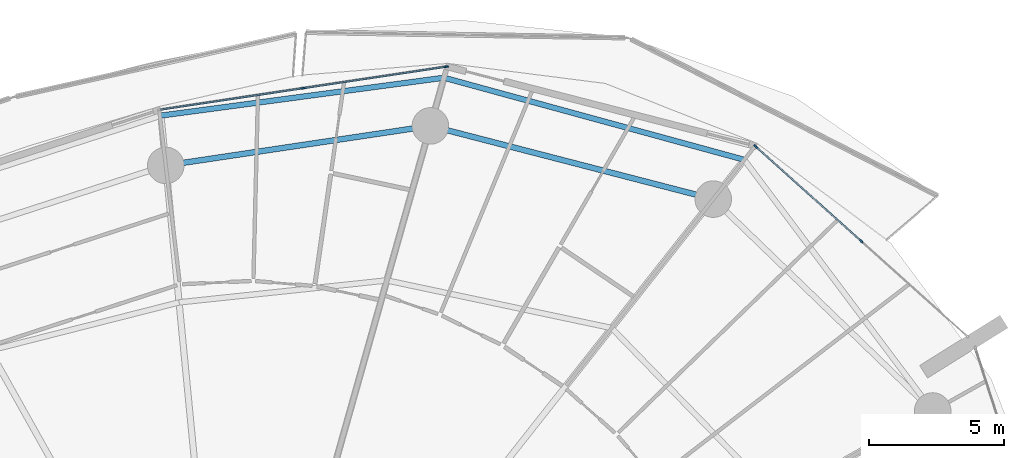
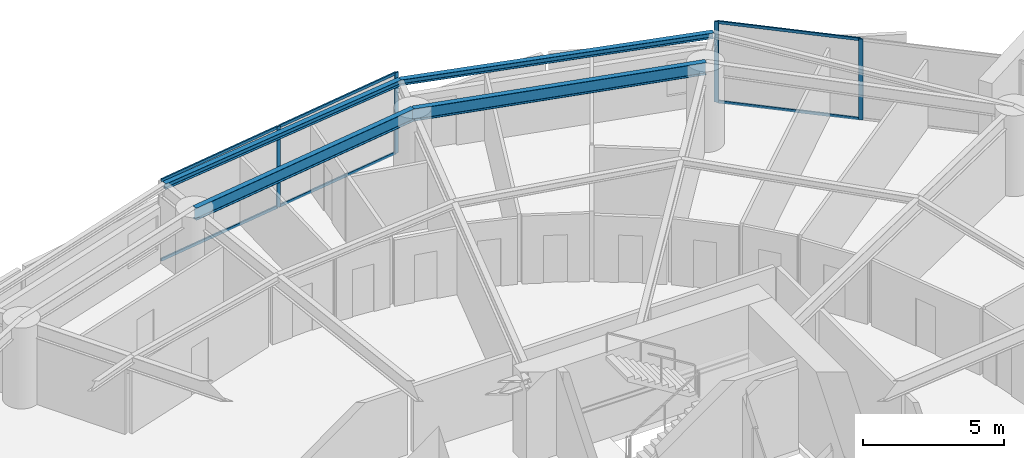
# One storey, part 16 of 31: 10 members, 4 beams, 2 elements without a shape of their own.
"""IFC4 building model written with IfcOpenShell, lengths in metres."""

from ifc_helpers import new_model, si_unit, direction, frame, origin, origin_2d, place, context, subcontext, project, spatial, rectangle, i_section, extrude, material, layer, layer_set, material_profile, profile_set, type_object, element, aggregate, save


model = new_model("IFC4")

# Units and contexts
model_context = context("Model", 3, precision=1e-05, world=origin(), true_north=direction((0.0, 1.0)))
body_context = subcontext(model_context, "Body", "Model", "MODEL_VIEW")
ifc_project = project(units=[si_unit("LENGTHUNIT", "METRE"), si_unit("AREAUNIT", "SQUARE_METRE"), si_unit("VOLUMEUNIT", "CUBIC_METRE"), si_unit("PLANEANGLEUNIT", "RADIAN"), si_unit("MASSUNIT", "GRAM", prefix="KILO")], contexts=[model_context])

# Site, building, storey
site_placement = place(None, origin())
site = spatial("IfcSite", under=ifc_project, at=site_placement, CompositionType="ELEMENT")
building_placement = place(site_placement, origin())
building = spatial("IfcBuilding", under=site, at=building_placement, Name="Kazma Halo Residences", CompositionType="ELEMENT")
storey_placement = place(building_placement, frame((0.0, 0.0, 48.89990234375)))
storey = spatial("IfcBuildingStorey", under=building, at=storey_placement, Name="L11", CompositionType="ELEMENT", Elevation=48.89990234375)

# Beams
ifc_material_1 = material(Name="Steel S355", Category="steel")
ifc_material_profile_1 = material_profile(ifc_material_1, i_section(OverallWidth=0.201904296875, OverallDepth=0.2470703125, WebThickness=0.00732421875, FlangeThickness=0.010986328125, FilletRadius=0.011962890625, at=origin_2d()), Name="W250x49.1")
ifc_profile_set_1 = profile_set([ifc_material_profile_1], Name="Steel S355")
beam_type_1 = type_object("IfcBeamType", Name="BM-BAL-CANT", PredefinedType="BEAM", material=ifc_profile_set_1)
beam_1_placement = place(storey_placement, frame((66.603515625, 65.598388671875, 3.376708984375), z_axis=(-0.964628474934, 0.263613173697, 0.0), x_axis=(-0.263613173697, -0.964628474934, 0.0)))
element("IfcBeam", 1, at=beam_1_placement, inside=storey, type_object=beam_type_1, Name="L11 wave-balcony tie beam 02", PredefinedType="BEAM", context=body_context, shape_type="SweptSolid", body=[
    extrude(i_section(OverallWidth=0.201904296875, OverallDepth=0.2470703125, WebThickness=0.00732421875, FlangeThickness=0.010986328125, FilletRadius=0.011962890625, at=origin_2d()), origin(), (0.0, 0.0, 1.0), 11.499755859375),
])
beam_2_placement = place(storey_placement, frame((55.510498046875, 68.6298828125, 3.376708984375), z_axis=(-0.991168183526, -0.13261082899, 0.0), x_axis=(0.13261082899, -0.991168183526, 0.0)))
element("IfcBeam", 2, at=beam_2_placement, inside=storey, type_object=beam_type_1, Name="L11 wave-balcony tie beam 03", PredefinedType="BEAM", context=body_context, shape_type="SweptSolid", body=[
    extrude(i_section(OverallWidth=0.201904296875, OverallDepth=0.2470703125, WebThickness=0.00732421875, FlangeThickness=0.010986328125, FilletRadius=0.011962890625, at=origin_2d()), origin(), (0.0, 0.0, 1.0), 10.551025390625),
])
ifc_material_profile_2 = material_profile(ifc_material_1, i_section(OverallWidth=0.208984375, OverallDepth=0.532958984375, WebThickness=0.01025390625, FlangeThickness=0.015625, FilletRadius=0.01611328125, at=origin_2d()), Name="W530x92")
ifc_profile_set_2 = profile_set([ifc_material_profile_2], Name="Steel S355")
beam_type_2 = type_object("IfcBeamType", Name="BM-SPN-W530", PredefinedType="BEAM", material=ifc_profile_set_2)
beam_3_placement = place(storey_placement, frame((65.458251953125, 64.145751953125, 3.233642578125), z_axis=(-0.968123558238, 0.250473104313, 0.0), x_axis=(-0.250473104313, -0.968123558238, 0.0)))
element("IfcBeam", 3, at=beam_3_placement, inside=storey, type_object=beam_type_2, Name="L11 perimeter ring beam 02", PredefinedType="BEAM", context=body_context, shape_type="SweptSolid", body=[
    extrude(i_section(OverallWidth=0.208984375, OverallDepth=0.532958984375, WebThickness=0.01025390625, FlangeThickness=0.015625, FilletRadius=0.01611328125, at=origin_2d()), origin(), (0.0, 0.0, 1.0), 10.7939453125),
])
beam_4_placement = place(storey_placement, frame((55.00830078125, 66.849365234375, 3.233642578125), z_axis=(-0.989033061974, -0.147694286693, 0.0), x_axis=(0.147694286693, -0.989033061974, 0.0)))
element("IfcBeam", 4, at=beam_4_placement, inside=storey, type_object=beam_type_2, Name="L11 perimeter ring beam 03", PredefinedType="BEAM", context=body_context, shape_type="SweptSolid", body=[
    extrude(i_section(OverallWidth=0.208984375, OverallDepth=0.532958984375, WebThickness=0.01025390625, FlangeThickness=0.015625, FilletRadius=0.01611328125, at=origin_2d()), origin(), (0.0, 0.0, 1.0), 9.885009765625),
])

# Curtain wall, members
ifc_material_2 = material(Name="Aluminium AW-6063 T6 and Triple-Silver Low-E Glass", Category="aluminium")
ifc_layer = layer(ifc_material_2, 0.159912109375)
ifc_layer_set = layer_set([ifc_layer], Name="Aluminium AW-6063 T6 and Triple-Silver Low-E Glass")
curtain_wall_type = type_object("IfcCurtainWallType", Name="CW-SYS-2", PredefinedType="NOTDEFINED", material=ifc_layer_set)
curtain_wall_1_placement = place(storey_placement, origin())
curtain_wall_1 = element("IfcCurtainWall", 5, at=curtain_wall_1_placement, inside=storey, type_object=curtain_wall_type, Name="L11 unitised curtain wall B01", PredefinedType="NOTDEFINED")
ifc_material_3 = material(Name="Aluminium AW-6063 T6", Category="aluminium")
ifc_material_profile_3 = material_profile(ifc_material_3, rectangle(XDim=0.06005859375, YDim=0.159912109375, at=origin_2d()), Name="CWM-60x160")
ifc_profile_set_3 = profile_set([ifc_material_profile_3], Name="Aluminium AW-6063 T6")
member_type_1 = type_object("IfcMemberType", Name="CW-SYS-2-MUL", PredefinedType="MULLION", material=ifc_profile_set_3)
member_1_placement = place(storey_placement, frame((70.92724609375, 62.590087890625, 0.0), z_axis=(0.0, 0.0, 1.0), x_axis=(-0.667821453854, -0.744321506993, 0.0)))
member_1 = element("IfcMember", 6, at=member_1_placement, type_object=member_type_1, Name="CWS-2 mullion 2", PredefinedType="MULLION", context=body_context, shape_type="SweptSolid", body=[
    extrude(rectangle(XDim=0.06005859375, YDim=0.159912109375, at=origin_2d()), origin(), (0.0, 0.0, 1.0), 3.5),
])
member_2_placement = place(storey_placement, frame((67.028076171875, 66.088623046875, 0.0), z_axis=(0.0, 0.0, 1.0), x_axis=(-0.667821453854, -0.744321506993, 0.0)))
member_2 = element("IfcMember", 7, at=member_2_placement, type_object=member_type_1, Name="CWS-2 mullion 3", PredefinedType="MULLION", context=body_context, shape_type="SweptSolid", body=[
    extrude(rectangle(XDim=0.06005859375, YDim=0.159912109375, at=origin_2d()), origin(), (0.0, 0.0, 1.0), 3.5),
])

curtain_wall_2_placement = place(storey_placement, origin())
curtain_wall_2 = element("IfcCurtainWall", 8, at=curtain_wall_2_placement, inside=storey, type_object=curtain_wall_type, Name="L11 unitised curtain wall B03", PredefinedType="NOTDEFINED")
member_3_placement = place(storey_placement, frame((55.596923828125, 69.037841796875, 0.0), z_axis=(0.0, 0.0, 1.0), x_axis=(0.148657272805, -0.988888777994, 0.0)))
member_3 = element("IfcMember", 9, at=member_3_placement, type_object=member_type_1, Name="CWS-2 mullion 1", PredefinedType="MULLION", context=body_context, shape_type="SweptSolid", body=[
    extrude(rectangle(XDim=0.06005859375, YDim=0.159912109375, at=origin_2d()), origin(), (0.0, 0.0, 1.0), 3.5),
])
member_4_placement = place(storey_placement, frame((50.3076171875, 68.24267578125, 0.0), z_axis=(0.0, 0.0, 1.0), x_axis=(0.148657272805, -0.988888777994, 0.0)))
member_4 = element("IfcMember", 10, at=member_4_placement, type_object=member_type_1, Name="CWS-2 mullion 2", PredefinedType="MULLION", context=body_context, shape_type="SweptSolid", body=[
    extrude(rectangle(XDim=0.06005859375, YDim=0.159912109375, at=origin_2d()), origin(), (0.0, 0.0, 1.0), 3.5),
])

# Member
ifc_material_profile_4 = material_profile(ifc_material_3, rectangle(XDim=0.06005859375, YDim=0.1201171875, at=origin_2d()), Name="CWT-60x120")
ifc_profile_set_4 = profile_set([ifc_material_profile_4], Name="Aluminium AW-6063 T6")
member_type_2 = type_object("IfcMemberType", Name="CW-SYS-2-TRN", PredefinedType="USERDEFINED", material=ifc_profile_set_4)
member_5_placement = place(storey_placement, frame((70.905029296875, 62.6103515625, 0.030029296875), z_axis=(-0.744329408538, 0.66781264707, 0.0), x_axis=(-0.66781264707, -0.744329408538, 0.0)))
member_5 = element("IfcMember", 11, at=member_5_placement, type_object=member_type_2, Name="CWS-2 transom 2.1", ObjectType="TRANSOM", PredefinedType="USERDEFINED", context=body_context, shape_type="SweptSolid", body=[
    extrude(rectangle(XDim=0.06005859375, YDim=0.1201171875, at=origin_2d()), origin(), (0.0, 0.0, 1.0), 5.178466796875),
])

member_6_placement = place(storey_placement, frame((70.905029296875, 62.6103515625, 3.47021484375), z_axis=(-0.744329408538, 0.66781264707, 0.0), x_axis=(-0.66781264707, -0.744329408538, 0.0)))
member_6 = element("IfcMember", 12, at=member_6_placement, type_object=member_type_2, Name="CWS-2 transom 2.2", ObjectType="TRANSOM", PredefinedType="USERDEFINED", context=body_context, shape_type="SweptSolid", body=[
    extrude(rectangle(XDim=0.06005859375, YDim=0.1201171875, at=origin_2d()), origin(), (0.0, 0.0, 1.0), 5.178466796875),
])

aggregate(curtain_wall_1, [member_1, member_2, member_5, member_6])

member_7_placement = place(storey_placement, frame((55.5673828125, 69.033203125, 0.030029296875), z_axis=(-0.988890934274, -0.148642928222, 0.0), x_axis=(0.148642928222, -0.988890934274, 0.0)))
member_7 = element("IfcMember", 13, at=member_7_placement, type_object=member_type_2, Name="CWS-2 transom 1.1", ObjectType="TRANSOM", PredefinedType="USERDEFINED", context=body_context, shape_type="SweptSolid", body=[
    extrude(rectangle(XDim=0.06005859375, YDim=0.1201171875, at=origin_2d()), origin(), (0.0, 0.0, 1.0), 5.288818359375),
])

member_8_placement = place(storey_placement, frame((55.5673828125, 69.033203125, 3.47021484375), z_axis=(-0.988890934274, -0.148642928222, 0.0), x_axis=(0.148642928222, -0.988890934274, 0.0)))
member_8 = element("IfcMember", 14, at=member_8_placement, type_object=member_type_2, Name="CWS-2 transom 1.2", ObjectType="TRANSOM", PredefinedType="USERDEFINED", context=body_context, shape_type="SweptSolid", body=[
    extrude(rectangle(XDim=0.06005859375, YDim=0.1201171875, at=origin_2d()), origin(), (0.0, 0.0, 1.0), 5.288818359375),
])

member_9_placement = place(storey_placement, frame((50.278076171875, 68.238037109375, 0.030029296875), z_axis=(-0.98889195415, -0.148636143041, 0.0), x_axis=(0.148636143041, -0.98889195415, 0.0)))
member_9 = element("IfcMember", 15, at=member_9_placement, type_object=member_type_2, Name="CWS-2 transom 2.1", ObjectType="TRANSOM", PredefinedType="USERDEFINED", context=body_context, shape_type="SweptSolid", body=[
    extrude(rectangle(XDim=0.06005859375, YDim=0.1201171875, at=origin_2d()), origin(), (0.0, 0.0, 1.0), 5.2890625),
])

member_10_placement = place(storey_placement, frame((50.278076171875, 68.238037109375, 3.47021484375), z_axis=(-0.98889195415, -0.148636143041, 0.0), x_axis=(0.148636143041, -0.98889195415, 0.0)))
member_10 = element("IfcMember", 16, at=member_10_placement, type_object=member_type_2, Name="CWS-2 transom 2.2", ObjectType="TRANSOM", PredefinedType="USERDEFINED", context=body_context, shape_type="SweptSolid", body=[
    extrude(rectangle(XDim=0.06005859375, YDim=0.1201171875, at=origin_2d()), origin(), (0.0, 0.0, 1.0), 5.2890625),
])

aggregate(curtain_wall_2, [member_3, member_4, member_7, member_8, member_9, member_10])

save(model, "model.ifc")
